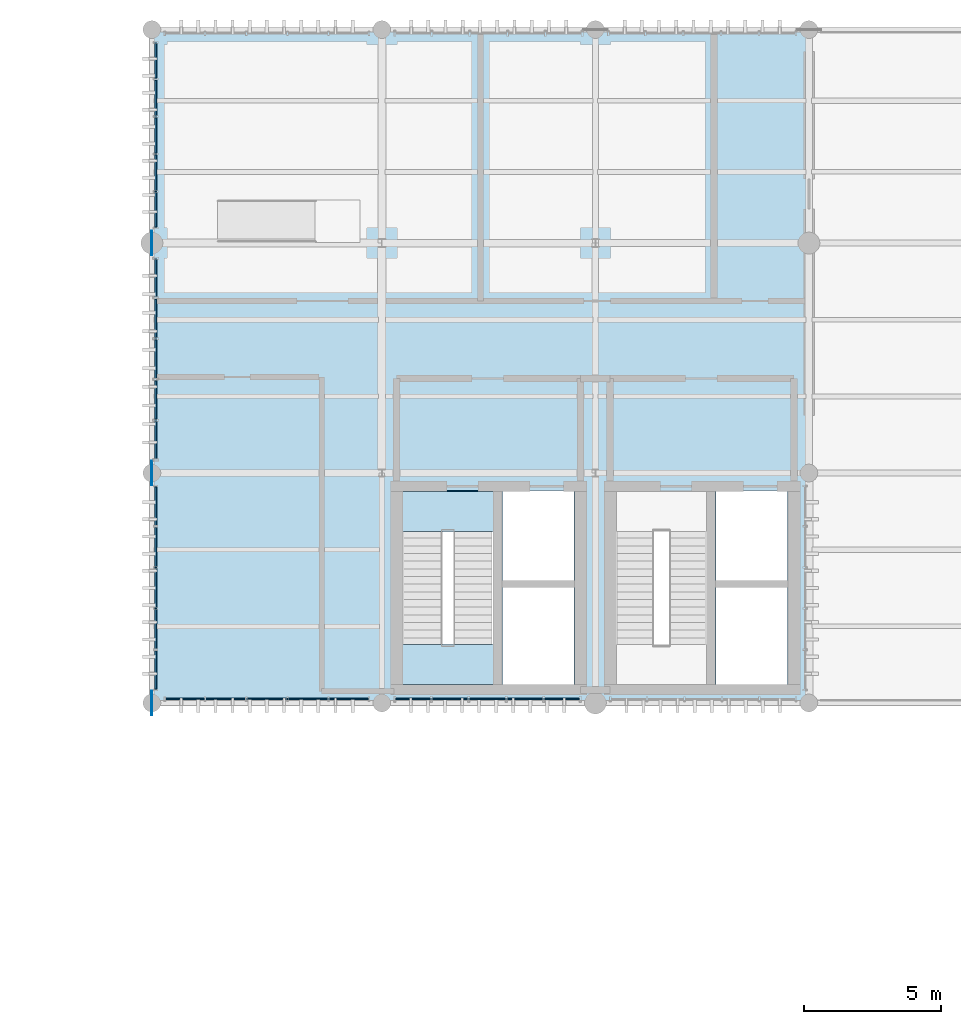
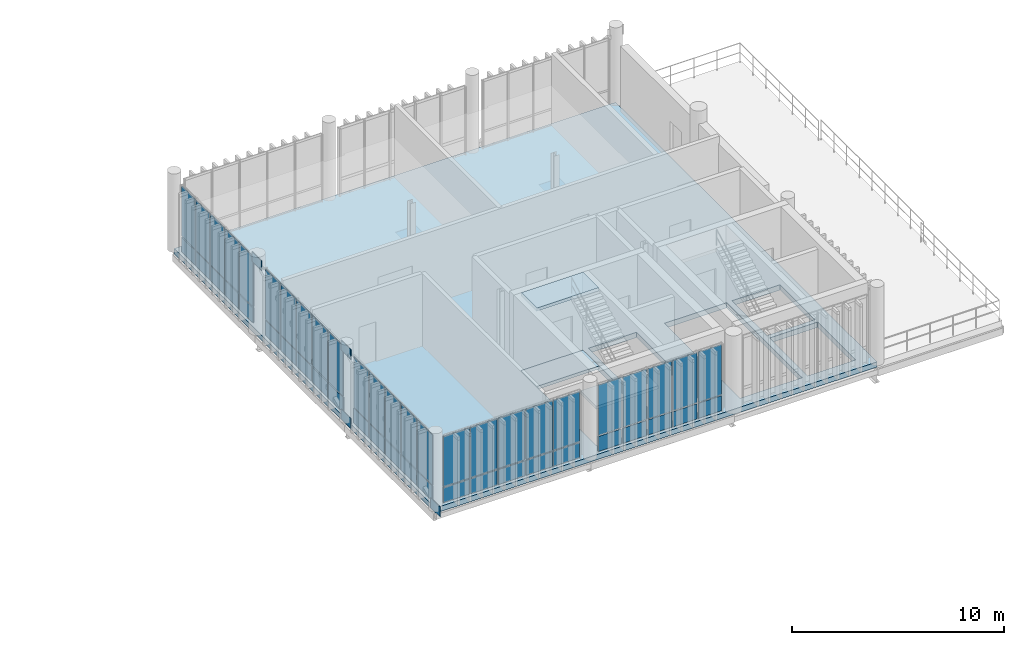
# One storey, part 13 of 19: 54 plates, 4 slabs, 6 elements without a shape of their own.
"""IFC4 building model written with IfcOpenShell, lengths in metres."""

from ifc_helpers import new_model, si_unit, direction, frame, frame_2d, origin_with_axes, origin_2d_with_axis, place, context, subcontext, project, spatial, polyline, rectangle, outline, extrude, material, layer, layer_set, type_object, element, aggregate, save


model = new_model("IFC4")

# Units and contexts
model_context = context("Model", 3, precision=1e-05, world=origin_with_axes(), true_north=direction((0.0, 1.0)))
body_context = subcontext(model_context, "Body", "Model", "MODEL_VIEW")
ifc_project = project(units=[si_unit("LENGTHUNIT", "METRE"), si_unit("AREAUNIT", "SQUARE_METRE"), si_unit("VOLUMEUNIT", "CUBIC_METRE"), si_unit("PLANEANGLEUNIT", "RADIAN"), si_unit("MASSUNIT", "GRAM", prefix="KILO"), si_unit("THERMODYNAMICTEMPERATUREUNIT", "KELVIN")], contexts=[model_context])

# Site, building, storey
site_placement = place(None, origin_with_axes())
site = spatial("IfcSite", under=ifc_project, at=site_placement, CompositionType="ELEMENT")
building_placement = place(site_placement, origin_with_axes())
building = spatial("IfcBuilding", under=site, at=building_placement, Name="Montbau Bow Law Courts", CompositionType="ELEMENT")
storey_placement = place(building_placement, frame((0.0, 0.0, 43.5), z_axis=(0.0, 0.0, 1.0), x_axis=(1.0, 0.0, 0.0)))
storey = spatial("IfcBuildingStorey", under=building, at=storey_placement, Name="L09", CompositionType="ELEMENT", Elevation=43.5)

# Curtain wall, plates
ifc_material_1 = material(Name="Thermally Broken Extruded Aluminium AA 6063-T6", Category="aluminium")
curtain_wall_type = type_object("IfcCurtainWallType", Name="CW-CRM-03", PredefinedType="NOTDEFINED", material=ifc_material_1)
curtain_wall_1_placement = place(None, frame((139.04, 86.54, 43.5), z_axis=(0.0, 0.0, 1.0), x_axis=(1.0, 0.0, 0.0)))
curtain_wall_1 = element("IfcCurtainWall", 1, at=curtain_wall_1_placement, inside=storey, type_object=curtain_wall_type, Name="CW-L09-386:cw_0386", PredefinedType="NOTDEFINED")
ifc_material_2 = material(Name="Triple-Glazed Low-E Argon Insulating Glass Unit", Category="glass")
ifc_layer_1 = layer(ifc_material_2, 0.044, Name="Curtain Panel", Category="glass")
ifc_layer_set_1 = layer_set([ifc_layer_1], Name="Triple-Glazed Low-E Argon Insulating Glass Unit")
plate_type_1 = type_object("IfcPlateType", Name="PL-CWP-01", PredefinedType="CURTAIN_PANEL", material=ifc_layer_set_1)
plate_1_placement = place(None, frame((139.102, 86.54, 44.482), z_axis=(0.0, -1.0, 0.0), x_axis=(1.0, 0.0, 0.0)))
plate_1 = element("IfcPlate", 2, at=plate_1_placement, type_object=plate_type_1, Name="CW-L09-386-P01-2:cw_0386_P01_2", PredefinedType="CURTAIN_PANEL", context=body_context, shape_type="SweptSolid", body=[
    extrude(rectangle(XDim=1.41, YDim=2.876, at=frame_2d((0.705, 1.438), x_axis=(1.0, 0.0))), frame((0.0, 0.0, -0.022), z_axis=(0.0, 0.0, 1.0), x_axis=(1.0, 0.0, 0.0)), (0.0, 0.0, 1.0), 0.044),
])
plate_2_placement = place(None, frame((140.576, 86.54, 44.482), z_axis=(0.0, -1.0, 0.0), x_axis=(1.0, 0.0, 0.0)))
plate_2 = element("IfcPlate", 3, at=plate_2_placement, type_object=plate_type_1, Name="CW-L09-386-P02-2:cw_0386_P02_2", PredefinedType="CURTAIN_PANEL", context=body_context, shape_type="SweptSolid", body=[
    extrude(rectangle(XDim=1.44, YDim=2.876, at=frame_2d((0.72, 1.438), x_axis=(1.0, 0.0))), frame((0.0, 0.0, -0.022), z_axis=(0.0, 0.0, 1.0), x_axis=(1.0, 0.0, 0.0)), (0.0, 0.0, 1.0), 0.044),
])
plate_3_placement = place(None, frame((142.08, 86.54, 44.482), z_axis=(0.0, -1.0, 0.0), x_axis=(1.0, 0.0, 0.0)))
plate_3 = element("IfcPlate", 4, at=plate_3_placement, type_object=plate_type_1, Name="CW-L09-386-P03-2:cw_0386_P03_2", PredefinedType="CURTAIN_PANEL", context=body_context, shape_type="SweptSolid", body=[
    extrude(rectangle(XDim=1.44, YDim=2.876, at=frame_2d((0.72, 1.438), x_axis=(1.0, 0.0))), frame((0.0, 0.0, -0.022), z_axis=(0.0, 0.0, 1.0), x_axis=(1.0, 0.0, 0.0)), (0.0, 0.0, 1.0), 0.044),
])
plate_4_placement = place(None, frame((143.584, 86.54, 44.482), z_axis=(0.0, -1.0, 0.0), x_axis=(1.0, 0.0, 0.0)))
plate_4 = element("IfcPlate", 5, at=plate_4_placement, type_object=plate_type_1, Name="CW-L09-386-P04-2:cw_0386_P04_2", PredefinedType="CURTAIN_PANEL", context=body_context, shape_type="SweptSolid", body=[
    extrude(rectangle(XDim=1.44, YDim=2.876, at=frame_2d((0.72, 1.438), x_axis=(1.0, 0.0))), frame((0.0, 0.0, -0.022), z_axis=(0.0, 0.0, 1.0), x_axis=(1.0, 0.0, 0.0)), (0.0, 0.0, 1.0), 0.044),
])
plate_5_placement = place(None, frame((145.088, 86.54, 44.482), z_axis=(0.0, -1.0, 0.0), x_axis=(1.0, 0.0, 0.0)))
plate_5 = element("IfcPlate", 6, at=plate_5_placement, type_object=plate_type_1, Name="CW-L09-386-P05-2:cw_0386_P05_2", PredefinedType="CURTAIN_PANEL", context=body_context, shape_type="SweptSolid", body=[
    extrude(rectangle(XDim=1.41, YDim=2.876, at=frame_2d((0.705, 1.438), x_axis=(1.0, 0.0))), frame((0.0, 0.0, -0.022), z_axis=(0.0, 0.0, 1.0), x_axis=(1.0, 0.0, 0.0)), (0.0, 0.0, 1.0), 0.044),
])

curtain_wall_2_placement = place(None, frame((147.44, 86.54, 43.5), z_axis=(0.0, 0.0, 1.0), x_axis=(1.0, 0.0, 0.0)))
curtain_wall_2 = element("IfcCurtainWall", 7, at=curtain_wall_2_placement, inside=storey, type_object=curtain_wall_type, Name="CW-L09-387:cw_0387", PredefinedType="NOTDEFINED")
plate_6_placement = place(None, frame((147.516, 86.54, 44.48), z_axis=(0.0, -1.0, 0.0), x_axis=(1.0, 0.0, 0.0)))
plate_6 = element("IfcPlate", 8, at=plate_6_placement, type_object=plate_type_1, Name="CW-L09-387-P01-2:cw_0387_P01_2", PredefinedType="CURTAIN_PANEL", context=body_context, shape_type="SweptSolid", body=[
    extrude(rectangle(XDim=1.253, YDim=2.882, at=frame_2d((0.6265, 1.441), x_axis=(1.0, 0.0))), frame((0.0, 0.0, -0.022), z_axis=(0.0, 0.0, 1.0), x_axis=(1.0, 0.0, 0.0)), (0.0, 0.0, 1.0), 0.044),
])
plate_7_placement = place(None, frame((148.849, 86.54, 44.48), z_axis=(0.0, -1.0, 0.0), x_axis=(1.0, 0.0, 0.0)))
plate_7 = element("IfcPlate", 9, at=plate_7_placement, type_object=plate_type_1, Name="CW-L09-387-P02-2:cw_0387_P02_2", PredefinedType="CURTAIN_PANEL", context=body_context, shape_type="SweptSolid", body=[
    extrude(rectangle(XDim=1.29, YDim=2.882, at=frame_2d((0.645, 1.441), x_axis=(1.0, 0.0))), frame((0.0, 0.0, -0.022), z_axis=(0.0, 0.0, 1.0), x_axis=(1.0, 0.0, 0.0)), (0.0, 0.0, 1.0), 0.044),
])
plate_8_placement = place(None, frame((150.217, 86.54, 44.48), z_axis=(0.0, -1.0, 0.0), x_axis=(1.0, 0.0, 0.0)))
plate_8 = element("IfcPlate", 10, at=plate_8_placement, type_object=plate_type_1, Name="CW-L09-387-P03-2:cw_0387_P03_2", PredefinedType="CURTAIN_PANEL", context=body_context, shape_type="SweptSolid", body=[
    extrude(rectangle(XDim=1.291, YDim=2.882, at=frame_2d((0.6455, 1.441), x_axis=(1.0, 0.0))), frame((0.0, 0.0, -0.022), z_axis=(0.0, 0.0, 1.0), x_axis=(1.0, 0.0, 0.0)), (0.0, 0.0, 1.0), 0.044),
])
plate_9_placement = place(None, frame((151.586, 86.54, 44.48), z_axis=(0.0, -1.0, 0.0), x_axis=(1.0, 0.0, 0.0)))
plate_9 = element("IfcPlate", 11, at=plate_9_placement, type_object=plate_type_1, Name="CW-L09-387-P04-2:cw_0387_P04_2", PredefinedType="CURTAIN_PANEL", context=body_context, shape_type="SweptSolid", body=[
    extrude(rectangle(XDim=1.291, YDim=2.882, at=frame_2d((0.6455, 1.441), x_axis=(1.0, 0.0))), frame((0.0, 0.0, -0.022), z_axis=(0.0, 0.0, 1.0), x_axis=(1.0, 0.0, 0.0)), (0.0, 0.0, 1.0), 0.044),
])
plate_10_placement = place(None, frame((152.955, 86.54, 44.48), z_axis=(0.0, -1.0, 0.0), x_axis=(1.0, 0.0, 0.0)))
plate_10 = element("IfcPlate", 12, at=plate_10_placement, type_object=plate_type_1, Name="CW-L09-387-P05-2:cw_0387_P05_2", PredefinedType="CURTAIN_PANEL", context=body_context, shape_type="SweptSolid", body=[
    extrude(rectangle(XDim=1.253, YDim=2.882, at=frame_2d((0.6265, 1.441), x_axis=(1.0, 0.0))), frame((0.0, 0.0, -0.022), z_axis=(0.0, 0.0, 1.0), x_axis=(1.0, 0.0, 0.0)), (0.0, 0.0, 1.0), 0.044),
])

curtain_wall_3_placement = place(None, frame((138.74, 86.84, 43.5), z_axis=(0.0, 0.0, 1.0), x_axis=(1.0, 0.0, 0.0)))
curtain_wall_3 = element("IfcCurtainWall", 13, at=curtain_wall_3_placement, inside=storey, type_object=curtain_wall_type, Name="CW-L09-392:cw_0392", PredefinedType="NOTDEFINED")
plate_11_placement = place(None, frame((138.74, 86.902, 44.482), z_axis=(1.0, 0.0, 0.0), x_axis=(0.0, 1.0, 0.0)))
plate_11 = element("IfcPlate", 14, at=plate_11_placement, type_object=plate_type_1, Name="CW-L09-392-P01-2:cw_0392_P01_2", PredefinedType="CURTAIN_PANEL", context=body_context, shape_type="SweptSolid", body=[
    extrude(rectangle(XDim=1.41, YDim=2.876, at=frame_2d((0.705, 1.438), x_axis=(1.0, 0.0))), frame((0.0, 0.0, -0.022), z_axis=(0.0, 0.0, 1.0), x_axis=(1.0, 0.0, 0.0)), (0.0, 0.0, 1.0), 0.044),
])
plate_12_placement = place(None, frame((138.74, 88.376, 44.482), z_axis=(1.0, 0.0, 0.0), x_axis=(0.0, 1.0, 0.0)))
plate_12 = element("IfcPlate", 15, at=plate_12_placement, type_object=plate_type_1, Name="CW-L09-392-P02-2:cw_0392_P02_2", PredefinedType="CURTAIN_PANEL", context=body_context, shape_type="SweptSolid", body=[
    extrude(rectangle(XDim=1.44, YDim=2.876, at=frame_2d((0.72, 1.438), x_axis=(1.0, 0.0))), frame((0.0, 0.0, -0.022), z_axis=(0.0, 0.0, 1.0), x_axis=(1.0, 0.0, 0.0)), (0.0, 0.0, 1.0), 0.044),
])
plate_13_placement = place(None, frame((138.74, 89.88, 44.482), z_axis=(1.0, 0.0, 0.0), x_axis=(0.0, 1.0, 0.0)))
plate_13 = element("IfcPlate", 16, at=plate_13_placement, type_object=plate_type_1, Name="CW-L09-392-P03-2:cw_0392_P03_2", PredefinedType="CURTAIN_PANEL", context=body_context, shape_type="SweptSolid", body=[
    extrude(rectangle(XDim=1.44, YDim=2.876, at=frame_2d((0.72, 1.438), x_axis=(1.0, 0.0))), frame((0.0, 0.0, -0.022), z_axis=(0.0, 0.0, 1.0), x_axis=(1.0, 0.0, 0.0)), (0.0, 0.0, 1.0), 0.044),
])
plate_14_placement = place(None, frame((138.74, 91.384, 44.482), z_axis=(1.0, 0.0, 0.0), x_axis=(0.0, 1.0, 0.0)))
plate_14 = element("IfcPlate", 17, at=plate_14_placement, type_object=plate_type_1, Name="CW-L09-392-P04-2:cw_0392_P04_2", PredefinedType="CURTAIN_PANEL", context=body_context, shape_type="SweptSolid", body=[
    extrude(rectangle(XDim=1.44, YDim=2.876, at=frame_2d((0.72, 1.438), x_axis=(1.0, 0.0))), frame((0.0, 0.0, -0.022), z_axis=(0.0, 0.0, 1.0), x_axis=(1.0, 0.0, 0.0)), (0.0, 0.0, 1.0), 0.044),
])
plate_15_placement = place(None, frame((138.74, 92.888, 44.482), z_axis=(1.0, 0.0, 0.0), x_axis=(0.0, 1.0, 0.0)))
plate_15 = element("IfcPlate", 18, at=plate_15_placement, type_object=plate_type_1, Name="CW-L09-392-P05-2:cw_0392_P05_2", PredefinedType="CURTAIN_PANEL", context=body_context, shape_type="SweptSolid", body=[
    extrude(rectangle(XDim=1.41, YDim=2.876, at=frame_2d((0.705, 1.438), x_axis=(1.0, 0.0))), frame((0.0, 0.0, -0.022), z_axis=(0.0, 0.0, 1.0), x_axis=(1.0, 0.0, 0.0)), (0.0, 0.0, 1.0), 0.044),
])

curtain_wall_4_placement = place(None, frame((138.74, 95.24, 43.5), z_axis=(0.0, 0.0, 1.0), x_axis=(1.0, 0.0, 0.0)))
curtain_wall_4 = element("IfcCurtainWall", 19, at=curtain_wall_4_placement, inside=storey, type_object=curtain_wall_type, Name="CW-L09-393:cw_0393", PredefinedType="NOTDEFINED")
plate_16_placement = place(None, frame((138.74, 95.316, 44.48), z_axis=(1.0, 0.0, 0.0), x_axis=(0.0, 1.0, 0.0)))
plate_16 = element("IfcPlate", 20, at=plate_16_placement, type_object=plate_type_1, Name="CW-L09-393-P01-2:cw_0393_P01_2", PredefinedType="CURTAIN_PANEL", context=body_context, shape_type="SweptSolid", body=[
    extrude(rectangle(XDim=1.374, YDim=2.882, at=frame_2d((0.687, 1.441), x_axis=(1.0, 0.0))), frame((0.0, 0.0, -0.022), z_axis=(0.0, 0.0, 1.0), x_axis=(1.0, 0.0, 0.0)), (0.0, 0.0, 1.0), 0.044),
])
plate_17_placement = place(None, frame((138.74, 96.769, 44.48), z_axis=(1.0, 0.0, 0.0), x_axis=(0.0, 1.0, 0.0)))
plate_17 = element("IfcPlate", 21, at=plate_17_placement, type_object=plate_type_1, Name="CW-L09-393-P02-2:cw_0393_P02_2", PredefinedType="CURTAIN_PANEL", context=body_context, shape_type="SweptSolid", body=[
    extrude(rectangle(XDim=1.41, YDim=2.882, at=frame_2d((0.705, 1.441), x_axis=(1.0, 0.0))), frame((0.0, 0.0, -0.022), z_axis=(0.0, 0.0, 1.0), x_axis=(1.0, 0.0, 0.0)), (0.0, 0.0, 1.0), 0.044),
])
plate_18_placement = place(None, frame((138.74, 98.258, 44.48), z_axis=(1.0, 0.0, 0.0), x_axis=(0.0, 1.0, 0.0)))
plate_18 = element("IfcPlate", 22, at=plate_18_placement, type_object=plate_type_1, Name="CW-L09-393-P03-2:cw_0393_P03_2", PredefinedType="CURTAIN_PANEL", context=body_context, shape_type="SweptSolid", body=[
    extrude(rectangle(XDim=1.41, YDim=2.882, at=frame_2d((0.705, 1.441), x_axis=(1.0, 0.0))), frame((0.0, 0.0, -0.022), z_axis=(0.0, 0.0, 1.0), x_axis=(1.0, 0.0, 0.0)), (0.0, 0.0, 1.0), 0.044),
])
plate_19_placement = place(None, frame((138.74, 99.746, 44.48), z_axis=(1.0, 0.0, 0.0), x_axis=(0.0, 1.0, 0.0)))
plate_19 = element("IfcPlate", 23, at=plate_19_placement, type_object=plate_type_1, Name="CW-L09-393-P04-2:cw_0393_P04_2", PredefinedType="CURTAIN_PANEL", context=body_context, shape_type="SweptSolid", body=[
    extrude(rectangle(XDim=1.411, YDim=2.882, at=frame_2d((0.7055, 1.441), x_axis=(1.0, 0.0))), frame((0.0, 0.0, -0.022), z_axis=(0.0, 0.0, 1.0), x_axis=(1.0, 0.0, 0.0)), (0.0, 0.0, 1.0), 0.044),
])
plate_20_placement = place(None, frame((138.74, 101.235, 44.48), z_axis=(1.0, 0.0, 0.0), x_axis=(0.0, 1.0, 0.0)))
plate_20 = element("IfcPlate", 24, at=plate_20_placement, type_object=plate_type_1, Name="CW-L09-393-P05-2:cw_0393_P05_2", PredefinedType="CURTAIN_PANEL", context=body_context, shape_type="SweptSolid", body=[
    extrude(rectangle(XDim=1.374, YDim=2.882, at=frame_2d((0.687, 1.441), x_axis=(1.0, 0.0))), frame((0.0, 0.0, -0.022), z_axis=(0.0, 0.0, 1.0), x_axis=(1.0, 0.0, 0.0)), (0.0, 0.0, 1.0), 0.044),
])

curtain_wall_5_placement = place(None, frame((138.74, 103.715, 43.5), z_axis=(0.0, 0.0, 1.0), x_axis=(1.0, 0.0, 0.0)))
curtain_wall_5 = element("IfcCurtainWall", 25, at=curtain_wall_5_placement, inside=storey, type_object=curtain_wall_type, Name="CW-L09-394:cw_0394", PredefinedType="NOTDEFINED")
plate_21_placement = place(None, frame((138.74, 103.783, 44.482), z_axis=(1.0, 0.0, 0.0), x_axis=(0.0, 1.0, 0.0)))
plate_21 = element("IfcPlate", 26, at=plate_21_placement, type_object=plate_type_1, Name="CW-L09-394-P01-2:cw_0394_P01_2", PredefinedType="CURTAIN_PANEL", context=body_context, shape_type="SweptSolid", body=[
    extrude(rectangle(XDim=1.267, YDim=2.876, at=frame_2d((0.6335, 1.438), x_axis=(1.0, 0.0))), frame((0.0, 0.0, -0.022), z_axis=(0.0, 0.0, 1.0), x_axis=(1.0, 0.0, 0.0)), (0.0, 0.0, 1.0), 0.044),
])
plate_22_placement = place(None, frame((138.74, 105.118, 44.482), z_axis=(1.0, 0.0, 0.0), x_axis=(0.0, 1.0, 0.0)))
plate_22 = element("IfcPlate", 27, at=plate_22_placement, type_object=plate_type_1, Name="CW-L09-394-P02-2:cw_0394_P02_2", PredefinedType="CURTAIN_PANEL", context=body_context, shape_type="SweptSolid", body=[
    extrude(rectangle(XDim=1.301, YDim=2.876, at=frame_2d((0.6505, 1.438), x_axis=(1.0, 0.0))), frame((0.0, 0.0, -0.022), z_axis=(0.0, 0.0, 1.0), x_axis=(1.0, 0.0, 0.0)), (0.0, 0.0, 1.0), 0.044),
])
plate_23_placement = place(None, frame((138.74, 106.487, 44.482), z_axis=(1.0, 0.0, 0.0), x_axis=(0.0, 1.0, 0.0)))
plate_23 = element("IfcPlate", 28, at=plate_23_placement, type_object=plate_type_1, Name="CW-L09-394-P03-2:cw_0394_P03_2", PredefinedType="CURTAIN_PANEL", context=body_context, shape_type="SweptSolid", body=[
    extrude(rectangle(XDim=1.301, YDim=2.876, at=frame_2d((0.6505, 1.438), x_axis=(1.0, 0.0))), frame((0.0, 0.0, -0.022), z_axis=(0.0, 0.0, 1.0), x_axis=(1.0, 0.0, 0.0)), (0.0, 0.0, 1.0), 0.044),
])
plate_24_placement = place(None, frame((138.74, 107.856, 44.482), z_axis=(1.0, 0.0, 0.0), x_axis=(0.0, 1.0, 0.0)))
plate_24 = element("IfcPlate", 29, at=plate_24_placement, type_object=plate_type_1, Name="CW-L09-394-P04-2:cw_0394_P04_2", PredefinedType="CURTAIN_PANEL", context=body_context, shape_type="SweptSolid", body=[
    extrude(rectangle(XDim=1.301, YDim=2.876, at=frame_2d((0.6505, 1.438), x_axis=(1.0, 0.0))), frame((0.0, 0.0, -0.022), z_axis=(0.0, 0.0, 1.0), x_axis=(1.0, 0.0, 0.0)), (0.0, 0.0, 1.0), 0.044),
])
plate_25_placement = place(None, frame((138.74, 109.225, 44.482), z_axis=(1.0, 0.0, 0.0), x_axis=(0.0, 1.0, 0.0)))
plate_25 = element("IfcPlate", 30, at=plate_25_placement, type_object=plate_type_1, Name="CW-L09-394-P05-2:cw_0394_P05_2", PredefinedType="CURTAIN_PANEL", context=body_context, shape_type="SweptSolid", body=[
    extrude(rectangle(XDim=1.268, YDim=2.876, at=frame_2d((0.634, 1.438), x_axis=(1.0, 0.0))), frame((0.0, 0.0, -0.022), z_axis=(0.0, 0.0, 1.0), x_axis=(1.0, 0.0, 0.0)), (0.0, 0.0, 1.0), 0.044),
])

# Plate
ifc_material_3 = material(Name="Insulated Ceramic-Frit Spandrel Glazing Unit", Category="glass")
ifc_layer_2 = layer(ifc_material_3, 0.056, Name="Curtain Panel", Category="glass")
ifc_layer_set_2 = layer_set([ifc_layer_2], Name="Insulated Ceramic-Frit Spandrel Glazing Unit")
plate_type_2 = type_object("IfcPlateType", Name="PL-CWP-02", PredefinedType="CURTAIN_PANEL", material=ifc_layer_set_2)
plate_26_placement = place(None, frame((139.102, 86.54, 43.562), z_axis=(0.0, -1.0, 0.0), x_axis=(1.0, 0.0, 0.0)))
plate_26 = element("IfcPlate", 31, at=plate_26_placement, type_object=plate_type_2, Name="CW-L09-386-P01-1:cw_0386_P01_1", PredefinedType="CURTAIN_PANEL", context=body_context, shape_type="SweptSolid", body=[
    extrude(rectangle(XDim=1.41, YDim=0.856, at=frame_2d((0.705, 0.428), x_axis=(1.0, 0.0))), frame((0.0, 0.0, -0.028), z_axis=(0.0, 0.0, 1.0), x_axis=(1.0, 0.0, 0.0)), (0.0, 0.0, 1.0), 0.056),
])

plate_27_placement = place(None, frame((140.576, 86.54, 43.562), z_axis=(0.0, -1.0, 0.0), x_axis=(1.0, 0.0, 0.0)))
plate_27 = element("IfcPlate", 32, at=plate_27_placement, type_object=plate_type_2, Name="CW-L09-386-P02-1:cw_0386_P02_1", PredefinedType="CURTAIN_PANEL", context=body_context, shape_type="SweptSolid", body=[
    extrude(rectangle(XDim=1.44, YDim=0.856, at=frame_2d((0.72, 0.428), x_axis=(1.0, 0.0))), frame((0.0, 0.0, -0.028), z_axis=(0.0, 0.0, 1.0), x_axis=(1.0, 0.0, 0.0)), (0.0, 0.0, 1.0), 0.056),
])

plate_28_placement = place(None, frame((142.08, 86.54, 43.562), z_axis=(0.0, -1.0, 0.0), x_axis=(1.0, 0.0, 0.0)))
plate_28 = element("IfcPlate", 33, at=plate_28_placement, type_object=plate_type_2, Name="CW-L09-386-P03-1:cw_0386_P03_1", PredefinedType="CURTAIN_PANEL", context=body_context, shape_type="SweptSolid", body=[
    extrude(rectangle(XDim=1.44, YDim=0.856, at=frame_2d((0.72, 0.428), x_axis=(1.0, 0.0))), frame((0.0, 0.0, -0.028), z_axis=(0.0, 0.0, 1.0), x_axis=(1.0, 0.0, 0.0)), (0.0, 0.0, 1.0), 0.056),
])

plate_29_placement = place(None, frame((143.584, 86.54, 43.562), z_axis=(0.0, -1.0, 0.0), x_axis=(1.0, 0.0, 0.0)))
plate_29 = element("IfcPlate", 34, at=plate_29_placement, type_object=plate_type_2, Name="CW-L09-386-P04-1:cw_0386_P04_1", PredefinedType="CURTAIN_PANEL", context=body_context, shape_type="SweptSolid", body=[
    extrude(rectangle(XDim=1.44, YDim=0.856, at=frame_2d((0.72, 0.428), x_axis=(1.0, 0.0))), frame((0.0, 0.0, -0.028), z_axis=(0.0, 0.0, 1.0), x_axis=(1.0, 0.0, 0.0)), (0.0, 0.0, 1.0), 0.056),
])

plate_30_placement = place(None, frame((145.088, 86.54, 43.562), z_axis=(0.0, -1.0, 0.0), x_axis=(1.0, 0.0, 0.0)))
plate_30 = element("IfcPlate", 35, at=plate_30_placement, type_object=plate_type_2, Name="CW-L09-386-P05-1:cw_0386_P05_1", PredefinedType="CURTAIN_PANEL", context=body_context, shape_type="SweptSolid", body=[
    extrude(rectangle(XDim=1.41, YDim=0.856, at=frame_2d((0.705, 0.428), x_axis=(1.0, 0.0))), frame((0.0, 0.0, -0.028), z_axis=(0.0, 0.0, 1.0), x_axis=(1.0, 0.0, 0.0)), (0.0, 0.0, 1.0), 0.056),
])

aggregate(curtain_wall_1, [plate_26, plate_1, plate_27, plate_2, plate_28, plate_3, plate_29, plate_4, plate_30, plate_5])

plate_31_placement = place(None, frame((147.516, 86.54, 43.558), z_axis=(0.0, -1.0, 0.0), x_axis=(1.0, 0.0, 0.0)))
plate_31 = element("IfcPlate", 36, at=plate_31_placement, type_object=plate_type_2, Name="CW-L09-387-P01-1:cw_0387_P01_1", PredefinedType="CURTAIN_PANEL", context=body_context, shape_type="SweptSolid", body=[
    extrude(rectangle(XDim=1.253, YDim=0.862, at=frame_2d((0.6265, 0.431), x_axis=(1.0, 0.0))), frame((0.0, 0.0, -0.028), z_axis=(0.0, 0.0, 1.0), x_axis=(1.0, 0.0, 0.0)), (0.0, 0.0, 1.0), 0.056),
])

plate_32_placement = place(None, frame((148.849, 86.54, 43.558), z_axis=(0.0, -1.0, 0.0), x_axis=(1.0, 0.0, 0.0)))
plate_32 = element("IfcPlate", 37, at=plate_32_placement, type_object=plate_type_2, Name="CW-L09-387-P02-1:cw_0387_P02_1", PredefinedType="CURTAIN_PANEL", context=body_context, shape_type="SweptSolid", body=[
    extrude(rectangle(XDim=1.29, YDim=0.862, at=frame_2d((0.645, 0.431), x_axis=(1.0, 0.0))), frame((0.0, 0.0, -0.028), z_axis=(0.0, 0.0, 1.0), x_axis=(1.0, 0.0, 0.0)), (0.0, 0.0, 1.0), 0.056),
])

plate_33_placement = place(None, frame((150.217, 86.54, 43.558), z_axis=(0.0, -1.0, 0.0), x_axis=(1.0, 0.0, 0.0)))
plate_33 = element("IfcPlate", 38, at=plate_33_placement, type_object=plate_type_2, Name="CW-L09-387-P03-1:cw_0387_P03_1", PredefinedType="CURTAIN_PANEL", context=body_context, shape_type="SweptSolid", body=[
    extrude(rectangle(XDim=1.291, YDim=0.862, at=frame_2d((0.6455, 0.431), x_axis=(1.0, 0.0))), frame((0.0, 0.0, -0.028), z_axis=(0.0, 0.0, 1.0), x_axis=(1.0, 0.0, 0.0)), (0.0, 0.0, 1.0), 0.056),
])

plate_34_placement = place(None, frame((151.586, 86.54, 43.558), z_axis=(0.0, -1.0, 0.0), x_axis=(1.0, 0.0, 0.0)))
plate_34 = element("IfcPlate", 39, at=plate_34_placement, type_object=plate_type_2, Name="CW-L09-387-P04-1:cw_0387_P04_1", PredefinedType="CURTAIN_PANEL", context=body_context, shape_type="SweptSolid", body=[
    extrude(rectangle(XDim=1.291, YDim=0.862, at=frame_2d((0.6455, 0.431), x_axis=(1.0, 0.0))), frame((0.0, 0.0, -0.028), z_axis=(0.0, 0.0, 1.0), x_axis=(1.0, 0.0, 0.0)), (0.0, 0.0, 1.0), 0.056),
])

plate_35_placement = place(None, frame((152.955, 86.54, 43.558), z_axis=(0.0, -1.0, 0.0), x_axis=(1.0, 0.0, 0.0)))
plate_35 = element("IfcPlate", 40, at=plate_35_placement, type_object=plate_type_2, Name="CW-L09-387-P05-1:cw_0387_P05_1", PredefinedType="CURTAIN_PANEL", context=body_context, shape_type="SweptSolid", body=[
    extrude(rectangle(XDim=1.253, YDim=0.862, at=frame_2d((0.6265, 0.431), x_axis=(1.0, 0.0))), frame((0.0, 0.0, -0.028), z_axis=(0.0, 0.0, 1.0), x_axis=(1.0, 0.0, 0.0)), (0.0, 0.0, 1.0), 0.056),
])

aggregate(curtain_wall_2, [plate_31, plate_6, plate_32, plate_7, plate_33, plate_8, plate_34, plate_9, plate_35, plate_10])

plate_36_placement = place(None, frame((138.74, 86.902, 43.562), z_axis=(1.0, 0.0, 0.0), x_axis=(0.0, 1.0, 0.0)))
plate_36 = element("IfcPlate", 41, at=plate_36_placement, type_object=plate_type_2, Name="CW-L09-392-P01-1:cw_0392_P01_1", PredefinedType="CURTAIN_PANEL", context=body_context, shape_type="SweptSolid", body=[
    extrude(rectangle(XDim=1.41, YDim=0.856, at=frame_2d((0.705, 0.428), x_axis=(1.0, 0.0))), frame((0.0, 0.0, -0.028), z_axis=(0.0, 0.0, 1.0), x_axis=(1.0, 0.0, 0.0)), (0.0, 0.0, 1.0), 0.056),
])

plate_37_placement = place(None, frame((138.74, 88.376, 43.562), z_axis=(1.0, 0.0, 0.0), x_axis=(0.0, 1.0, 0.0)))
plate_37 = element("IfcPlate", 42, at=plate_37_placement, type_object=plate_type_2, Name="CW-L09-392-P02-1:cw_0392_P02_1", PredefinedType="CURTAIN_PANEL", context=body_context, shape_type="SweptSolid", body=[
    extrude(rectangle(XDim=1.44, YDim=0.856, at=frame_2d((0.72, 0.428), x_axis=(1.0, 0.0))), frame((0.0, 0.0, -0.028), z_axis=(0.0, 0.0, 1.0), x_axis=(1.0, 0.0, 0.0)), (0.0, 0.0, 1.0), 0.056),
])

plate_38_placement = place(None, frame((138.74, 89.88, 43.562), z_axis=(1.0, 0.0, 0.0), x_axis=(0.0, 1.0, 0.0)))
plate_38 = element("IfcPlate", 43, at=plate_38_placement, type_object=plate_type_2, Name="CW-L09-392-P03-1:cw_0392_P03_1", PredefinedType="CURTAIN_PANEL", context=body_context, shape_type="SweptSolid", body=[
    extrude(rectangle(XDim=1.44, YDim=0.856, at=frame_2d((0.72, 0.428), x_axis=(1.0, 0.0))), frame((0.0, 0.0, -0.028), z_axis=(0.0, 0.0, 1.0), x_axis=(1.0, 0.0, 0.0)), (0.0, 0.0, 1.0), 0.056),
])

plate_39_placement = place(None, frame((138.74, 91.384, 43.562), z_axis=(1.0, 0.0, 0.0), x_axis=(0.0, 1.0, 0.0)))
plate_39 = element("IfcPlate", 44, at=plate_39_placement, type_object=plate_type_2, Name="CW-L09-392-P04-1:cw_0392_P04_1", PredefinedType="CURTAIN_PANEL", context=body_context, shape_type="SweptSolid", body=[
    extrude(rectangle(XDim=1.44, YDim=0.856, at=frame_2d((0.72, 0.428), x_axis=(1.0, 0.0))), frame((0.0, 0.0, -0.028), z_axis=(0.0, 0.0, 1.0), x_axis=(1.0, 0.0, 0.0)), (0.0, 0.0, 1.0), 0.056),
])

plate_40_placement = place(None, frame((138.74, 92.888, 43.562), z_axis=(1.0, 0.0, 0.0), x_axis=(0.0, 1.0, 0.0)))
plate_40 = element("IfcPlate", 45, at=plate_40_placement, type_object=plate_type_2, Name="CW-L09-392-P05-1:cw_0392_P05_1", PredefinedType="CURTAIN_PANEL", context=body_context, shape_type="SweptSolid", body=[
    extrude(rectangle(XDim=1.41, YDim=0.856, at=frame_2d((0.705, 0.428), x_axis=(1.0, 0.0))), frame((0.0, 0.0, -0.028), z_axis=(0.0, 0.0, 1.0), x_axis=(1.0, 0.0, 0.0)), (0.0, 0.0, 1.0), 0.056),
])

aggregate(curtain_wall_3, [plate_36, plate_11, plate_37, plate_12, plate_38, plate_13, plate_39, plate_14, plate_40, plate_15])

plate_41_placement = place(None, frame((138.74, 95.316, 43.558), z_axis=(1.0, 0.0, 0.0), x_axis=(0.0, 1.0, 0.0)))
plate_41 = element("IfcPlate", 46, at=plate_41_placement, type_object=plate_type_2, Name="CW-L09-393-P01-1:cw_0393_P01_1", PredefinedType="CURTAIN_PANEL", context=body_context, shape_type="SweptSolid", body=[
    extrude(rectangle(XDim=1.374, YDim=0.862, at=frame_2d((0.687, 0.431), x_axis=(1.0, 0.0))), frame((0.0, 0.0, -0.028), z_axis=(0.0, 0.0, 1.0), x_axis=(1.0, 0.0, 0.0)), (0.0, 0.0, 1.0), 0.056),
])

plate_42_placement = place(None, frame((138.74, 96.769, 43.558), z_axis=(1.0, 0.0, 0.0), x_axis=(0.0, 1.0, 0.0)))
plate_42 = element("IfcPlate", 47, at=plate_42_placement, type_object=plate_type_2, Name="CW-L09-393-P02-1:cw_0393_P02_1", PredefinedType="CURTAIN_PANEL", context=body_context, shape_type="SweptSolid", body=[
    extrude(rectangle(XDim=1.41, YDim=0.862, at=frame_2d((0.705, 0.431), x_axis=(1.0, 0.0))), frame((0.0, 0.0, -0.028), z_axis=(0.0, 0.0, 1.0), x_axis=(1.0, 0.0, 0.0)), (0.0, 0.0, 1.0), 0.056),
])

plate_43_placement = place(None, frame((138.74, 98.258, 43.558), z_axis=(1.0, 0.0, 0.0), x_axis=(0.0, 1.0, 0.0)))
plate_43 = element("IfcPlate", 48, at=plate_43_placement, type_object=plate_type_2, Name="CW-L09-393-P03-1:cw_0393_P03_1", PredefinedType="CURTAIN_PANEL", context=body_context, shape_type="SweptSolid", body=[
    extrude(rectangle(XDim=1.41, YDim=0.862, at=frame_2d((0.705, 0.431), x_axis=(1.0, 0.0))), frame((0.0, 0.0, -0.028), z_axis=(0.0, 0.0, 1.0), x_axis=(1.0, 0.0, 0.0)), (0.0, 0.0, 1.0), 0.056),
])

plate_44_placement = place(None, frame((138.74, 99.746, 43.558), z_axis=(1.0, 0.0, 0.0), x_axis=(0.0, 1.0, 0.0)))
plate_44 = element("IfcPlate", 49, at=plate_44_placement, type_object=plate_type_2, Name="CW-L09-393-P04-1:cw_0393_P04_1", PredefinedType="CURTAIN_PANEL", context=body_context, shape_type="SweptSolid", body=[
    extrude(rectangle(XDim=1.411, YDim=0.862, at=frame_2d((0.7055, 0.431), x_axis=(1.0, 0.0))), frame((0.0, 0.0, -0.028), z_axis=(0.0, 0.0, 1.0), x_axis=(1.0, 0.0, 0.0)), (0.0, 0.0, 1.0), 0.056),
])

plate_45_placement = place(None, frame((138.74, 101.235, 43.558), z_axis=(1.0, 0.0, 0.0), x_axis=(0.0, 1.0, 0.0)))
plate_45 = element("IfcPlate", 50, at=plate_45_placement, type_object=plate_type_2, Name="CW-L09-393-P05-1:cw_0393_P05_1", PredefinedType="CURTAIN_PANEL", context=body_context, shape_type="SweptSolid", body=[
    extrude(rectangle(XDim=1.374, YDim=0.862, at=frame_2d((0.687, 0.431), x_axis=(1.0, 0.0))), frame((0.0, 0.0, -0.028), z_axis=(0.0, 0.0, 1.0), x_axis=(1.0, 0.0, 0.0)), (0.0, 0.0, 1.0), 0.056),
])

aggregate(curtain_wall_4, [plate_41, plate_16, plate_42, plate_17, plate_43, plate_18, plate_44, plate_19, plate_45, plate_20])

plate_46_placement = place(None, frame((138.74, 103.783, 43.562), z_axis=(1.0, 0.0, 0.0), x_axis=(0.0, 1.0, 0.0)))
plate_46 = element("IfcPlate", 51, at=plate_46_placement, type_object=plate_type_2, Name="CW-L09-394-P01-1:cw_0394_P01_1", PredefinedType="CURTAIN_PANEL", context=body_context, shape_type="SweptSolid", body=[
    extrude(rectangle(XDim=1.267, YDim=0.856, at=frame_2d((0.6335, 0.428), x_axis=(1.0, 0.0))), frame((0.0, 0.0, -0.028), z_axis=(0.0, 0.0, 1.0), x_axis=(1.0, 0.0, 0.0)), (0.0, 0.0, 1.0), 0.056),
])

plate_47_placement = place(None, frame((138.74, 105.118, 43.562), z_axis=(1.0, 0.0, 0.0), x_axis=(0.0, 1.0, 0.0)))
plate_47 = element("IfcPlate", 52, at=plate_47_placement, type_object=plate_type_2, Name="CW-L09-394-P02-1:cw_0394_P02_1", PredefinedType="CURTAIN_PANEL", context=body_context, shape_type="SweptSolid", body=[
    extrude(rectangle(XDim=1.301, YDim=0.856, at=frame_2d((0.6505, 0.428), x_axis=(1.0, 0.0))), frame((0.0, 0.0, -0.028), z_axis=(0.0, 0.0, 1.0), x_axis=(1.0, 0.0, 0.0)), (0.0, 0.0, 1.0), 0.056),
])

plate_48_placement = place(None, frame((138.74, 106.487, 43.562), z_axis=(1.0, 0.0, 0.0), x_axis=(0.0, 1.0, 0.0)))
plate_48 = element("IfcPlate", 53, at=plate_48_placement, type_object=plate_type_2, Name="CW-L09-394-P03-1:cw_0394_P03_1", PredefinedType="CURTAIN_PANEL", context=body_context, shape_type="SweptSolid", body=[
    extrude(rectangle(XDim=1.301, YDim=0.856, at=frame_2d((0.6505, 0.428), x_axis=(1.0, 0.0))), frame((0.0, 0.0, -0.028), z_axis=(0.0, 0.0, 1.0), x_axis=(1.0, 0.0, 0.0)), (0.0, 0.0, 1.0), 0.056),
])

plate_49_placement = place(None, frame((138.74, 107.856, 43.562), z_axis=(1.0, 0.0, 0.0), x_axis=(0.0, 1.0, 0.0)))
plate_49 = element("IfcPlate", 54, at=plate_49_placement, type_object=plate_type_2, Name="CW-L09-394-P04-1:cw_0394_P04_1", PredefinedType="CURTAIN_PANEL", context=body_context, shape_type="SweptSolid", body=[
    extrude(rectangle(XDim=1.301, YDim=0.856, at=frame_2d((0.6505, 0.428), x_axis=(1.0, 0.0))), frame((0.0, 0.0, -0.028), z_axis=(0.0, 0.0, 1.0), x_axis=(1.0, 0.0, 0.0)), (0.0, 0.0, 1.0), 0.056),
])

plate_50_placement = place(None, frame((138.74, 109.225, 43.562), z_axis=(1.0, 0.0, 0.0), x_axis=(0.0, 1.0, 0.0)))
plate_50 = element("IfcPlate", 55, at=plate_50_placement, type_object=plate_type_2, Name="CW-L09-394-P05-1:cw_0394_P05_1", PredefinedType="CURTAIN_PANEL", context=body_context, shape_type="SweptSolid", body=[
    extrude(rectangle(XDim=1.268, YDim=0.856, at=frame_2d((0.634, 0.428), x_axis=(1.0, 0.0))), frame((0.0, 0.0, -0.028), z_axis=(0.0, 0.0, 1.0), x_axis=(1.0, 0.0, 0.0)), (0.0, 0.0, 1.0), 0.056),
])

aggregate(curtain_wall_5, [plate_46, plate_21, plate_47, plate_22, plate_48, plate_23, plate_49, plate_24, plate_50, plate_25])

# Plates
ifc_material_4 = material(Name="Steel CSA G40.21 Grade 350WT (350 MPa)", Category="steel")
ifc_layer_3 = layer(ifc_material_4, 0.032, Name="Gusset Plate", Category="steel")
ifc_layer_set_3 = layer_set([ifc_layer_3], Name="Steel CSA G40.21 Grade 350WT (350 MPa)")
plate_type_3 = type_object("IfcPlateType", Name="PL-GUS-01", PredefinedType="USERDEFINED", material=ifc_layer_set_3)
for number, where, z_axis, x_axis, name in (
    (56, (138.6, 86.4, 43.27), (0.0, 0.0, 1.0), (0.0, 1.0, 0.0), "BGP-L09-150:plt_0181"),
    (57, (138.6, 94.8, 47.227), (0.0, 0.0, 1.0), (0.0, 1.0, 0.0), "BGP-L09-151:plt_0182"),
    (58, (138.6, 94.8, 43.27), (0.0, 0.0, 1.0), (0.0, 1.0, 0.0), "BGP-L09-164:plt_0195"),
    (59, (138.6, 103.2, 47.227), (0.0, 0.0, 1.0), (0.0, 1.0, 0.0), "BGP-L09-165:plt_0196"),
):
    element("IfcPlate", number, at=place(None, frame(where, z_axis=z_axis, x_axis=x_axis)), inside=storey, type_object=plate_type_3, Name=name, ObjectType="GUSSET_PLATE", PredefinedType="USERDEFINED", context=body_context, shape_type="SweptSolid", body=[
        extrude(rectangle(XDim=0.9, YDim=0.032, at=origin_2d_with_axis()), origin_with_axes(), (0.0, 0.0, 1.0), 0.56),
    ])

# Slab
ifc_material_5 = material(Name="Concrete CSA A23.1 f'c 40 MPa", Category="concrete")
ifc_layer_4 = layer(ifc_material_5, 0.3, Name="Floor Slab", Category="concrete")
ifc_layer_set_4 = layer_set([ifc_layer_4], Name="Concrete CSA A23.1 f'c 40 MPa")
slab_type_1 = type_object("IfcSlabType", Name="SL-FLR-06", PredefinedType="FLOOR", material=ifc_layer_set_4)
slab_1_placement = place(None, frame((0.0, 0.0, 43.2), z_axis=(0.0, 0.0, 1.0), x_axis=(1.0, 0.0, 0.0)))
element("IfcSlab", 60, at=slab_1_placement, inside=storey, type_object=slab_type_1, Name="SL-V5-L09:slb_0034", PredefinedType="FLOOR", context=body_context, shape_type="SweptSolid", body=[
    extrude(outline(polyline([(138.6, 86.4), (162.6, 86.4), (162.6, 111.0), (138.6, 111.0), (138.6, 86.4)]), holes=[polyline([(147.72, 87.04), (151.1, 87.04), (151.1, 94.142), (147.72, 94.142), (147.72, 87.04)]), polyline([(151.4, 87.04), (154.01, 87.04), (154.01, 90.622), (151.4, 90.622), (151.4, 87.04)]), polyline([(151.4, 90.862), (154.01, 90.862), (154.01, 94.16), (151.4, 94.16), (151.4, 90.862)]), polyline([(155.52, 87.04), (158.9, 87.04), (158.9, 94.142), (155.52, 94.142), (155.52, 87.04)]), polyline([(159.2, 87.04), (161.81, 87.04), (161.81, 90.622), (159.2, 90.622), (159.2, 87.04)]), polyline([(159.2, 90.862), (161.81, 90.862), (161.81, 94.16), (159.2, 94.16), (159.2, 90.862)])]), origin_with_axes(), (0.0, 0.0, 1.0), 0.3),
])

# Stair, slabs
stair_type = type_object("IfcStairType", Name="ST-PUB-1800", PredefinedType="HALF_TURN_STAIR", material=ifc_material_5)
stair_placement = place(None, frame((148.505, 92.7, 43.5), z_axis=(0.0, 0.0, 1.0), x_axis=(1.0, 0.0, 0.0)))
stair = element("IfcStair", 61, at=stair_placement, inside=storey, type_object=stair_type, Name="ST-P2-L09:str_0043", PredefinedType="HALF_TURN_STAIR")
ifc_layer_5 = layer(ifc_material_5, 0.18, Name="Landing", Category="concrete")
ifc_layer_set_5 = layer_set([ifc_layer_5], Name="Concrete CSA A23.1 f'c 40 MPa")
slab_type_2 = type_object("IfcSlabType", Name="SL-LND-01", PredefinedType="LANDING", material=ifc_layer_set_5)
slab_2_placement = place(None, frame((0.0, 0.0, 43.32), z_axis=(0.0, 0.0, 1.0), x_axis=(1.0, 0.0, 0.0)))
slab_2 = element("IfcSlab", 62, at=slab_2_placement, type_object=slab_type_2, Name="ST-P2-L09-LB:str_0043_LB", PredefinedType="LANDING", context=body_context, shape_type="SweptSolid", body=[
    extrude(outline(polyline([(147.72, 92.66), (151.1, 92.66), (151.1, 94.16), (147.72, 94.16), (147.72, 92.66)])), origin_with_axes(), (0.0, 0.0, 1.0), 0.18),
])
slab_3_placement = place(None, frame((0.0, 0.0, 45.57), z_axis=(0.0, 0.0, 1.0), x_axis=(1.0, 0.0, 0.0)))
slab_3 = element("IfcSlab", 63, at=slab_3_placement, type_object=slab_type_2, Name="ST-P2-L09-LM:str_0043_LM", PredefinedType="LANDING", context=body_context, shape_type="SweptSolid", body=[
    extrude(outline(polyline([(147.72, 87.07), (151.1, 87.07), (151.1, 88.54), (147.72, 88.54), (147.72, 87.07)])), origin_with_axes(), (0.0, 0.0, 1.0), 0.18),
])
slab_4_placement = place(None, frame((0.0, 0.0, 47.82), z_axis=(0.0, 0.0, 1.0), x_axis=(1.0, 0.0, 0.0)))
slab_4 = element("IfcSlab", 64, at=slab_4_placement, type_object=slab_type_2, Name="ST-P2-L09-LT:str_0043_LT", PredefinedType="LANDING", context=body_context, shape_type="SweptSolid", body=[
    extrude(outline(polyline([(147.72, 92.66), (151.1, 92.66), (151.1, 94.13), (147.72, 94.13), (147.72, 92.66)])), origin_with_axes(), (0.0, 0.0, 1.0), 0.18),
])
aggregate(stair, [slab_2, slab_3, slab_4])

save(model, "model.ifc")
